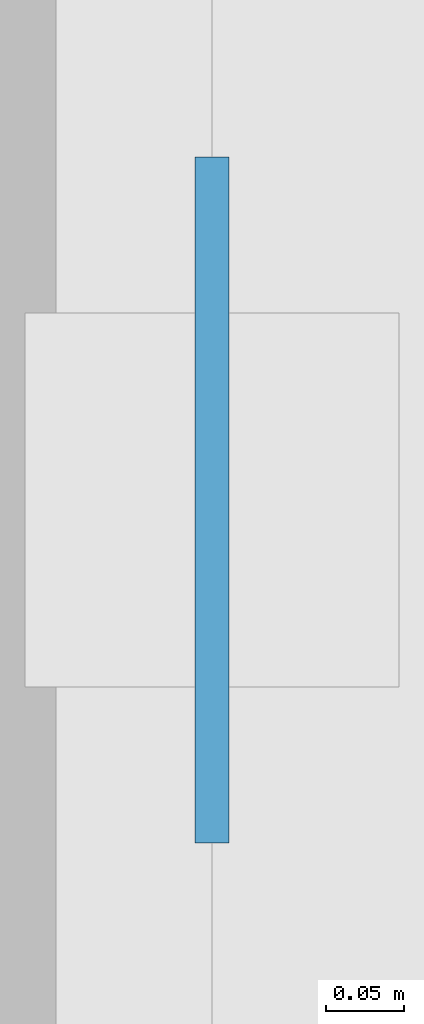
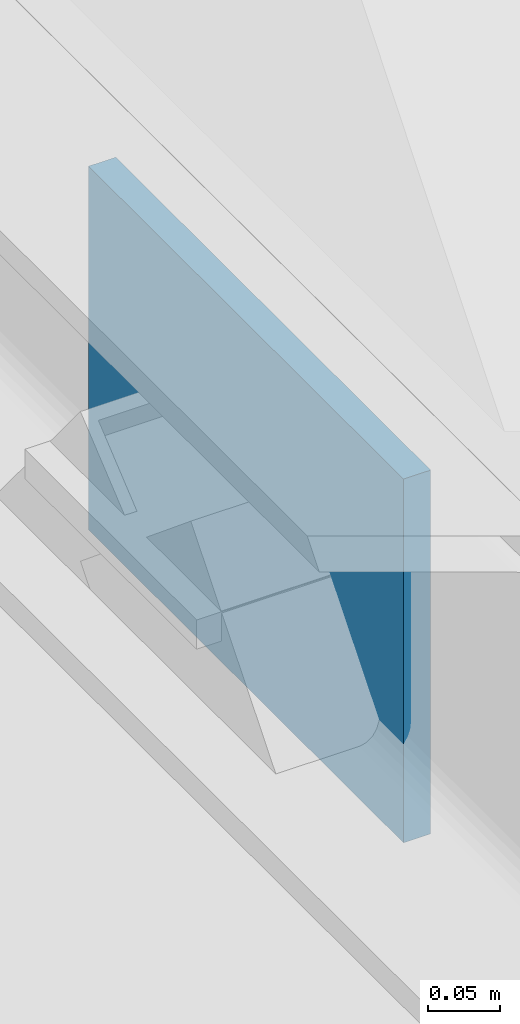
# One storey, part 74 of 129: 1 plate.
"""IFC4 building model written with IfcOpenShell, lengths in metres."""

from ifc_helpers import new_model, si_unit, direction, frame, origin, origin_2d, place, context, subcontext, project, spatial, rectangle, extrude, material, layer, layer_set, type_object, element, save


model = new_model("IFC4")

# Units and contexts
model_context = context("Model", 3, precision=1e-05, world=origin(), true_north=direction((0.0, 1.0)))
body_context = subcontext(model_context, "Body", "Model", "MODEL_VIEW")
ifc_project = project(units=[si_unit("LENGTHUNIT", "METRE"), si_unit("AREAUNIT", "SQUARE_METRE"), si_unit("VOLUMEUNIT", "CUBIC_METRE"), si_unit("PLANEANGLEUNIT", "RADIAN"), si_unit("MASSUNIT", "GRAM", prefix="KILO")], contexts=[model_context])

# Site, building, storey
site_placement = place(None, origin())
site = spatial("IfcSite", under=ifc_project, at=site_placement, CompositionType="ELEMENT")
building_placement = place(site_placement, origin())
building = spatial("IfcBuilding", under=site, at=building_placement, Name="Sundkrona Museum", CompositionType="ELEMENT")
storey_placement = place(building_placement, origin())
storey = spatial("IfcBuildingStorey", under=building, at=storey_placement, Name="L00", CompositionType="ELEMENT", Elevation=0.0)

# Plate
ifc_material = material(Name="Steel S355J2", Category="steel")
ifc_layer = layer(ifc_material, 0.02197265625)
ifc_layer_set = layer_set([ifc_layer], Name="Steel S355J2")
plate_type = type_object("IfcPlateType", Name="GP-5", PredefinedType="USERDEFINED", material=ifc_layer_set)
plate_placement = place(storey_placement, frame((168.0, 58.0, 4.675048828125), z_axis=(0.0, 0.0, 1.0), x_axis=(0.0, 1.0, 0.0)))
element("IfcPlate", 1, at=plate_placement, inside=storey, type_object=plate_type, Name="L00 Chevron Apex Gusset Plate 026", ObjectType="GUSSET PLATE", PredefinedType="USERDEFINED", context=body_context, shape_type="SweptSolid", body=[
    extrude(rectangle(XDim=0.43994140625, YDim=0.02197265625, at=origin_2d()), origin(), (0.0, 0.0, 1.0), 0.31005859375),
])

save(model, "model.ifc")
